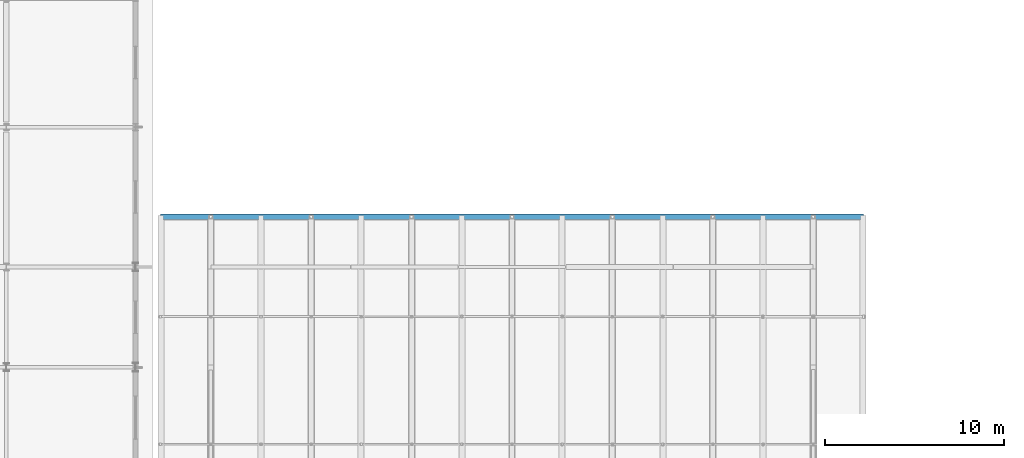
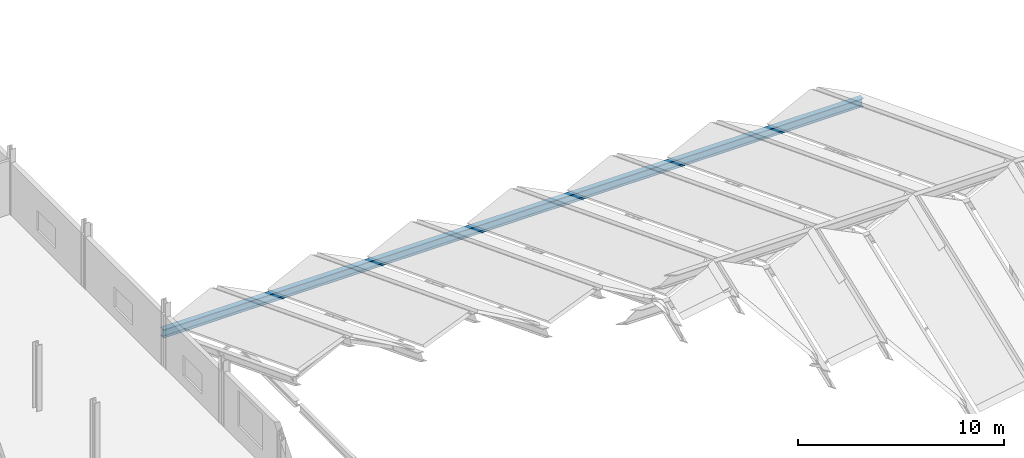
# One storey, part 22 of 49: 1 beam.
"""IFC4 building model written with IfcOpenShell, lengths in metres."""

import ifcopenshell
import ifcopenshell.guid

model = None  # the IFC model being written
_history = None  # IfcOwnerHistory: only IFC2X3 demands one
_inside = {}  # id of a spatial element -> (the spatial element, [elements in it])
_under = {}  # id of a project, library or spatial element -> (it, [spatial elements below it])
_declared = {}  # id of a project -> (the project, [libraries it declares])
_typed = {}  # id of a type object -> (the type object, [elements of that type])
_made_of = {}  # id of a material, layer set ... -> (it, [elements and type objects made of it])


def new_model(schema):
    """Start an empty IFC model of exactly this schema.

    Asked for "IFC4X3", IfcOpenShell would pick the latest addendum, in which some entities
    have other attributes; the version numbers below select the first issue.
    IFC2X3 requires an IfcOwnerHistory on every rooted entity: one is made here for all.
    """
    global model, _history
    if schema == "IFC4X3":
        model = ifcopenshell.file(schema_version=(4, 3, 0, 0))
    else:
        model = ifcopenshell.file(schema=schema)
    _inside.clear()
    _under.clear()
    _declared.clear()
    _typed.clear()
    _made_of.clear()
    _history = None
    if model.schema == "IFC2X3":
        org = make("IfcOrganization", Name="unknown")
        user = make(
            "IfcPersonAndOrganization",
            ThePerson=make("IfcPerson", FamilyName="unknown"),
            TheOrganization=org,
        )
        app = make(
            "IfcApplication",
            ApplicationDeveloper=org,
            Version="unknown",
            ApplicationFullName="unknown",
            ApplicationIdentifier="unknown",
        )
        _history = make(
            "IfcOwnerHistory",
            OwningUser=user,
            OwningApplication=app,
            ChangeAction="ADDED",
            CreationDate=0,
        )
    return model


def make(cls, **values):
    """One entity of the class cls with the attributes given. An attribute that is None is left unset."""
    return model.create_entity(
        cls, **{name: value for name, value in values.items() if value is not None}
    )


def rooted(cls, **values):
    """An entity with a GlobalId (a new one), such as an element, a storey or a relation."""
    return make(cls, GlobalId=ifcopenshell.guid.new(), OwnerHistory=_history, **values)


def si_unit(unit_type, name, prefix=None):
    """IfcSIUnit, for example si_unit("LENGTHUNIT", "METRE", prefix="MILLI")."""
    return make("IfcSIUnit", UnitType=unit_type, Prefix=prefix, Name=name)


def assignment(units):
    """IfcUnitAssignment: the units of a project."""
    return None if units is None else make("IfcUnitAssignment", Units=units)


def point(xyz):
    """IfcCartesianPoint."""
    return None if xyz is None else make("IfcCartesianPoint", Coordinates=xyz)


def direction(xyz):
    """IfcDirection."""
    return None if xyz is None else make("IfcDirection", DirectionRatios=xyz)


def frame(location, z_axis=None, x_axis=None):
    """IfcAxis2Placement3D, a coordinate frame: its origin and axes. An axis left out is left unset."""
    return make(
        "IfcAxis2Placement3D",
        Location=point(location),
        Axis=direction(z_axis),
        RefDirection=direction(x_axis),
    )


def frame_2d(location, x_axis=None):
    """IfcAxis2Placement2D, a coordinate frame in the plane: its origin and x axis."""
    return make(
        "IfcAxis2Placement2D", Location=point(location), RefDirection=direction(x_axis)
    )


def origin():
    """The frame at (0, 0, 0) with its axes left unset."""
    return frame((0.0, 0.0, 0.0))


def origin_2d():
    """The frame at (0, 0) in the plane with its x axis left unset."""
    return frame_2d((0.0, 0.0))


def place(relative_to, where):
    """IfcLocalPlacement: puts the frame where relative to a parent placement (None: the world)."""
    return make(
        "IfcLocalPlacement", PlacementRelTo=relative_to, RelativePlacement=where
    )


def context(
    kind, dimensions, precision=None, world=None, true_north=None, identifier=None
):
    """IfcGeometricRepresentationContext, for example the 3D "Model" context."""
    return make(
        "IfcGeometricRepresentationContext",
        ContextIdentifier=identifier,
        ContextType=kind,
        CoordinateSpaceDimension=dimensions,
        Precision=precision,
        WorldCoordinateSystem=world,
        TrueNorth=true_north,
    )


def subcontext(parent, identifier, kind, view, scale=None):
    """IfcGeometricRepresentationSubContext, for example "Body" below "Model"."""
    return make(
        "IfcGeometricRepresentationSubContext",
        ContextIdentifier=identifier,
        ContextType=kind,
        ParentContext=parent,
        TargetScale=scale,
        TargetView=view,
    )


def project(units=None, contexts=None):
    """IfcProject with its units and contexts."""
    return rooted(
        "IfcProject",
        Name="project",
        RepresentationContexts=contexts,
        UnitsInContext=assignment(units),
    )


def spatial(cls, under=None, at=None, **own):
    """A site, building, storey or space (cls), placed at a placement, below another one or the project."""
    s = rooted(cls, ObjectPlacement=at, **own)
    if under is not None:
        _under.setdefault(under.id(), (under, []))[1].append(s)
    return s


def profile(cls, at=None, kind="AREA", **sizes):
    """A parametric profile (cls). Its sizes go by their IFC names, for example OverallWidth=200.0."""
    return make(cls, ProfileType=kind, Position=at, **sizes)


def i_section(**sizes):
    """IfcIShapeProfileDef."""
    return profile("IfcIShapeProfileDef", **sizes)


def extrude(swept, where, along, depth):
    """IfcExtrudedAreaSolid: the profile swept, set in the frame where, extruded along a direction by depth."""
    return make(
        "IfcExtrudedAreaSolid",
        SweptArea=swept,
        Position=where,
        ExtrudedDirection=direction(along),
        Depth=depth,
    )


def shape(context_of_items, identifier, shape_type, items):
    """IfcShapeRepresentation: the items that make up one representation, for example the "Body"."""
    return make(
        "IfcShapeRepresentation",
        ContextOfItems=context_of_items,
        RepresentationIdentifier=identifier,
        RepresentationType=shape_type,
        Items=items,
    )


def material(Name=None, Category=None):
    """IfcMaterial."""
    return make("IfcMaterial", Name=Name, Category=Category)


def material_profile(
    of_material, cross_section, Name=None, Category=None, Priority=None
):
    """IfcMaterialProfile: a cross section and its material."""
    return make(
        "IfcMaterialProfile",
        Name=Name,
        Material=of_material,
        Profile=cross_section,
        Priority=Priority,
        Category=Category,
    )


def profile_set(profiles, Name=None, composite=None):
    """IfcMaterialProfileSet."""
    return make(
        "IfcMaterialProfileSet",
        Name=Name,
        MaterialProfiles=profiles,
        CompositeProfile=composite,
    )


def made_of(thing, what):
    """Note that an element or type object is made of a material, layer set ...; save() writes the relation."""
    if what is not None:
        _made_of.setdefault(what.id(), (what, []))[1].append(thing)
    return thing


def type_object(cls, material=None, **own):
    """A type object (cls), such as IfcWallType, which elements share."""
    return made_of(rooted(cls, **own), material)


def element(
    cls,
    number,
    at=None,
    inside=None,
    cuts=None,
    type_object=None,
    material=None,
    context=None,
    identifier="Body",
    shape_type=None,
    held_by="IfcProductDefinitionShape",
    body=None,
    shapes=None,
    **own,
):
    """One element of the class cls, such as IfcWall. Its Tag is "e" and its number.

    at: its placement. inside: the storey or other place that contains it. cuts: it is an
    opening in that element (IfcRelVoidsElement). A single representation is given by context,
    identifier, shape_type and body (its items); several are given by shapes. held_by: the class
    of the entity that holds the representations. save() writes the other relations.
    """
    e = rooted(cls, Tag="e%d" % number, ObjectPlacement=at, **own)
    if body is not None:
        shapes = [shape(context, identifier, shape_type, body)]
    if shapes is not None:
        e.Representation = make(held_by, Representations=shapes)
    if inside is not None:
        _inside.setdefault(inside.id(), (inside, []))[1].append(e)
    if cuts is not None:
        rooted(
            "IfcRelVoidsElement", RelatingBuildingElement=cuts, RelatedOpeningElement=e
        )
    if type_object is not None:
        _typed.setdefault(type_object.id(), (type_object, []))[1].append(e)
    return made_of(e, material)


def aggregate(whole, parts):
    """IfcRelAggregates: a whole, such as a stair, and the parts it consists of."""
    return rooted("IfcRelAggregates", RelatingObject=whole, RelatedObjects=parts)


def save(model, path):
    """Write the relations noted so far, then the file.

    IfcRelAggregates (storeys below a building ...), IfcRelContainedInSpatialStructure (elements
    in a storey), IfcRelDefinesByType, IfcRelAssociatesMaterial and IfcRelDeclares: one each for
    every whole, place, type object, material and project.
    """
    for whole, parts in _under.values():
        aggregate(whole, parts)
    for where, things in _inside.values():
        rooted(
            "IfcRelContainedInSpatialStructure",
            RelatedElements=things,
            RelatingStructure=where,
        )
    for kind, things in _typed.values():
        rooted("IfcRelDefinesByType", RelatedObjects=things, RelatingType=kind)
    for what, things in _made_of.values():
        rooted("IfcRelAssociatesMaterial", RelatedObjects=things, RelatingMaterial=what)
    for by, libraries in _declared.values():
        rooted("IfcRelDeclares", RelatingContext=by, RelatedDefinitions=libraries)
    model.write(path)


model = new_model("IFC4")

# Units and contexts
model_context = context("Model", 3, precision=1e-05, world=origin(), true_north=direction((0.0, 1.0)))
body_context = subcontext(model_context, "Body", "Model", "MODEL_VIEW")
ifc_project = project(units=[si_unit("LENGTHUNIT", "METRE"), si_unit("AREAUNIT", "SQUARE_METRE"), si_unit("VOLUMEUNIT", "CUBIC_METRE"), si_unit("PLANEANGLEUNIT", "RADIAN"), si_unit("MASSUNIT", "GRAM", prefix="KILO")], contexts=[model_context])

# Site, building, storey
site_placement = place(None, origin())
site = spatial("IfcSite", under=ifc_project, at=site_placement, CompositionType="ELEMENT")
building_placement = place(site_placement, origin())
building = spatial("IfcBuilding", under=site, at=building_placement, Name="Vinh Khe Railworks Police Headquarters", CompositionType="ELEMENT")
storey_placement = place(building_placement, frame((0.0, 0.0, 17.10009765625)))
storey = spatial("IfcBuildingStorey", under=building, at=storey_placement, Name="L04", CompositionType="ELEMENT", Elevation=17.10009765625)

# Beam
ifc_material = material(Name="Steel S355JR", Category="steel")
ifc_material_profile = material_profile(ifc_material, i_section(OverallWidth=0.300048828125, OverallDepth=0.5, WebThickness=0.014404296875, FlangeThickness=0.028076171875, FilletRadius=0.027099609375, at=origin_2d()), Name="HEB 500")
ifc_profile_set = profile_set([ifc_material_profile], Name="Steel S355JR")
beam_type = type_object("IfcBeamType", Name="Steel Girder HEB 500", PredefinedType="BEAM", material=ifc_profile_set)
beam_placement = place(storey_placement, frame((62.800048828125, 61.60009765625, -0.191162109375), z_axis=(-1.0, 0.0, 0.0), x_axis=(0.0, -1.0, 0.0)))
element("IfcBeam", 1, at=beam_placement, inside=storey, type_object=beam_type, Name="Folded Roof Eaves Girder 02", PredefinedType="BEAM", context=body_context, shape_type="SweptSolid", body=[
    extrude(i_section(OverallWidth=0.300048828125, OverallDepth=0.5, WebThickness=0.014404296875, FlangeThickness=0.028076171875, FilletRadius=0.027099609375, at=origin_2d()), origin(), (0.0, 0.0, 1.0), 39.199951171875),
])

save(model, "model.ifc")
